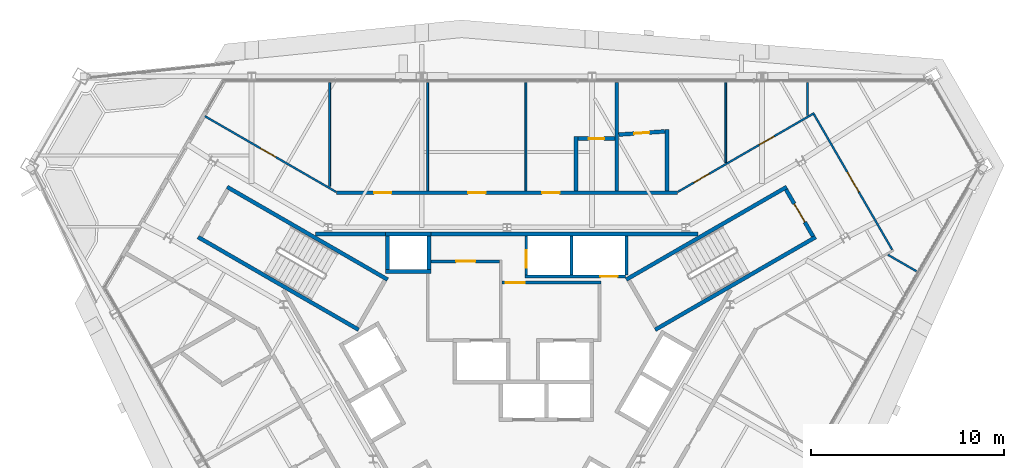
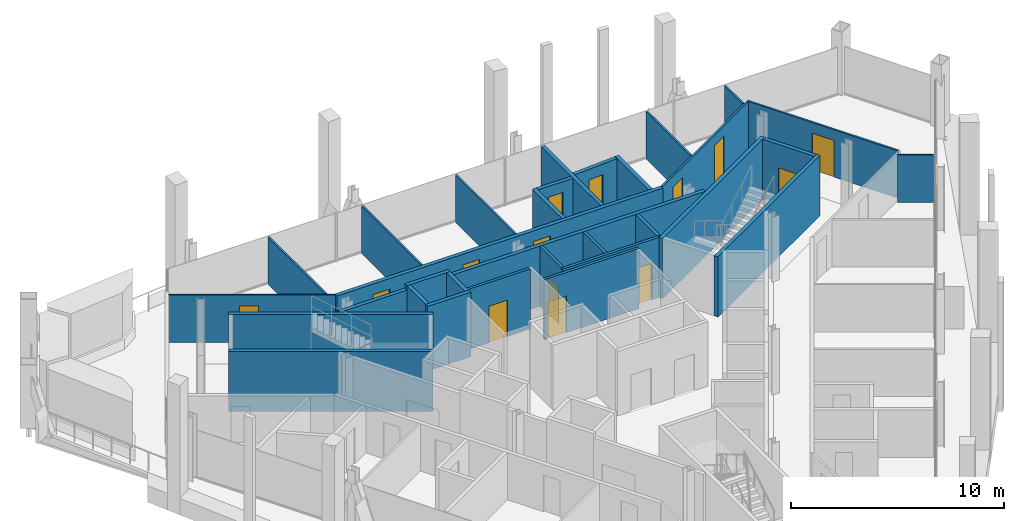
# One storey, part 11 of 14: 32 walls, 14 doors, 14 openings.
"""IFC4 building model written with IfcOpenShell, lengths in metres."""

import ifcopenshell
import ifcopenshell.guid

model = None  # the IFC model being written
_history = None  # IfcOwnerHistory: only IFC2X3 demands one
_inside = {}  # id of a spatial element -> (the spatial element, [elements in it])
_under = {}  # id of a project, library or spatial element -> (it, [spatial elements below it])
_declared = {}  # id of a project -> (the project, [libraries it declares])
_typed = {}  # id of a type object -> (the type object, [elements of that type])
_made_of = {}  # id of a material, layer set ... -> (it, [elements and type objects made of it])


def new_model(schema):
    """Start an empty IFC model of exactly this schema.

    Asked for "IFC4X3", IfcOpenShell would pick the latest addendum, in which some entities
    have other attributes; the version numbers below select the first issue.
    IFC2X3 requires an IfcOwnerHistory on every rooted entity: one is made here for all.
    """
    global model, _history
    if schema == "IFC4X3":
        model = ifcopenshell.file(schema_version=(4, 3, 0, 0))
    else:
        model = ifcopenshell.file(schema=schema)
    _inside.clear()
    _under.clear()
    _declared.clear()
    _typed.clear()
    _made_of.clear()
    _history = None
    if model.schema == "IFC2X3":
        org = make("IfcOrganization", Name="unknown")
        user = make(
            "IfcPersonAndOrganization",
            ThePerson=make("IfcPerson", FamilyName="unknown"),
            TheOrganization=org,
        )
        app = make(
            "IfcApplication",
            ApplicationDeveloper=org,
            Version="unknown",
            ApplicationFullName="unknown",
            ApplicationIdentifier="unknown",
        )
        _history = make(
            "IfcOwnerHistory",
            OwningUser=user,
            OwningApplication=app,
            ChangeAction="ADDED",
            CreationDate=0,
        )
    return model


def make(cls, **values):
    """One entity of the class cls with the attributes given. An attribute that is None is left unset."""
    return model.create_entity(
        cls, **{name: value for name, value in values.items() if value is not None}
    )


def rooted(cls, **values):
    """An entity with a GlobalId (a new one), such as an element, a storey or a relation."""
    return make(cls, GlobalId=ifcopenshell.guid.new(), OwnerHistory=_history, **values)


def si_unit(unit_type, name, prefix=None):
    """IfcSIUnit, for example si_unit("LENGTHUNIT", "METRE", prefix="MILLI")."""
    return make("IfcSIUnit", UnitType=unit_type, Prefix=prefix, Name=name)


def assignment(units):
    """IfcUnitAssignment: the units of a project."""
    return None if units is None else make("IfcUnitAssignment", Units=units)


def point(xyz):
    """IfcCartesianPoint."""
    return None if xyz is None else make("IfcCartesianPoint", Coordinates=xyz)


def direction(xyz):
    """IfcDirection."""
    return None if xyz is None else make("IfcDirection", DirectionRatios=xyz)


def frame(location, z_axis=None, x_axis=None):
    """IfcAxis2Placement3D, a coordinate frame: its origin and axes. An axis left out is left unset."""
    return make(
        "IfcAxis2Placement3D",
        Location=point(location),
        Axis=direction(z_axis),
        RefDirection=direction(x_axis),
    )


def frame_2d(location, x_axis=None):
    """IfcAxis2Placement2D, a coordinate frame in the plane: its origin and x axis."""
    return make(
        "IfcAxis2Placement2D", Location=point(location), RefDirection=direction(x_axis)
    )


def origin():
    """The frame at (0, 0, 0) with its axes left unset."""
    return frame((0.0, 0.0, 0.0))


def place(relative_to, where):
    """IfcLocalPlacement: puts the frame where relative to a parent placement (None: the world)."""
    return make(
        "IfcLocalPlacement", PlacementRelTo=relative_to, RelativePlacement=where
    )


def context(
    kind, dimensions, precision=None, world=None, true_north=None, identifier=None
):
    """IfcGeometricRepresentationContext, for example the 3D "Model" context."""
    return make(
        "IfcGeometricRepresentationContext",
        ContextIdentifier=identifier,
        ContextType=kind,
        CoordinateSpaceDimension=dimensions,
        Precision=precision,
        WorldCoordinateSystem=world,
        TrueNorth=true_north,
    )


def subcontext(parent, identifier, kind, view, scale=None):
    """IfcGeometricRepresentationSubContext, for example "Body" below "Model"."""
    return make(
        "IfcGeometricRepresentationSubContext",
        ContextIdentifier=identifier,
        ContextType=kind,
        ParentContext=parent,
        TargetScale=scale,
        TargetView=view,
    )


def project(units=None, contexts=None):
    """IfcProject with its units and contexts."""
    return rooted(
        "IfcProject",
        Name="project",
        RepresentationContexts=contexts,
        UnitsInContext=assignment(units),
    )


def spatial(cls, under=None, at=None, **own):
    """A site, building, storey or space (cls), placed at a placement, below another one or the project."""
    s = rooted(cls, ObjectPlacement=at, **own)
    if under is not None:
        _under.setdefault(under.id(), (under, []))[1].append(s)
    return s


def profile(cls, at=None, kind="AREA", **sizes):
    """A parametric profile (cls). Its sizes go by their IFC names, for example OverallWidth=200.0."""
    return make(cls, ProfileType=kind, Position=at, **sizes)


def rectangle(**sizes):
    """IfcRectangleProfileDef."""
    return profile("IfcRectangleProfileDef", **sizes)


def extrude(swept, where, along, depth):
    """IfcExtrudedAreaSolid: the profile swept, set in the frame where, extruded along a direction by depth."""
    return make(
        "IfcExtrudedAreaSolid",
        SweptArea=swept,
        Position=where,
        ExtrudedDirection=direction(along),
        Depth=depth,
    )


def shape(context_of_items, identifier, shape_type, items):
    """IfcShapeRepresentation: the items that make up one representation, for example the "Body"."""
    return make(
        "IfcShapeRepresentation",
        ContextOfItems=context_of_items,
        RepresentationIdentifier=identifier,
        RepresentationType=shape_type,
        Items=items,
    )


def material(Name=None, Category=None):
    """IfcMaterial."""
    return make("IfcMaterial", Name=Name, Category=Category)


def layer(
    of_material, thickness, ventilated=None, Name=None, Category=None, Priority=None
):
    """IfcMaterialLayer: one layer of a wall or slab, of a material (None: an air gap)."""
    return make(
        "IfcMaterialLayer",
        Material=of_material,
        LayerThickness=thickness,
        IsVentilated=ventilated,
        Name=Name,
        Category=Category,
        Priority=Priority,
    )


def layer_set(layers, Name=None):
    """IfcMaterialLayerSet."""
    return make("IfcMaterialLayerSet", MaterialLayers=layers, LayerSetName=Name)


def made_of(thing, what):
    """Note that an element or type object is made of a material, layer set ...; save() writes the relation."""
    if what is not None:
        _made_of.setdefault(what.id(), (what, []))[1].append(thing)
    return thing


def type_object(cls, material=None, **own):
    """A type object (cls), such as IfcWallType, which elements share."""
    return made_of(rooted(cls, **own), material)


def element(
    cls,
    number,
    at=None,
    inside=None,
    cuts=None,
    type_object=None,
    material=None,
    context=None,
    identifier="Body",
    shape_type=None,
    held_by="IfcProductDefinitionShape",
    body=None,
    shapes=None,
    **own,
):
    """One element of the class cls, such as IfcWall. Its Tag is "e" and its number.

    at: its placement. inside: the storey or other place that contains it. cuts: it is an
    opening in that element (IfcRelVoidsElement). A single representation is given by context,
    identifier, shape_type and body (its items); several are given by shapes. held_by: the class
    of the entity that holds the representations. save() writes the other relations.
    """
    e = rooted(cls, Tag="e%d" % number, ObjectPlacement=at, **own)
    if body is not None:
        shapes = [shape(context, identifier, shape_type, body)]
    if shapes is not None:
        e.Representation = make(held_by, Representations=shapes)
    if inside is not None:
        _inside.setdefault(inside.id(), (inside, []))[1].append(e)
    if cuts is not None:
        rooted(
            "IfcRelVoidsElement", RelatingBuildingElement=cuts, RelatedOpeningElement=e
        )
    if type_object is not None:
        _typed.setdefault(type_object.id(), (type_object, []))[1].append(e)
    return made_of(e, material)


def fill(opening, filler):
    """IfcRelFillsElement: the door or window that sits in an opening."""
    return rooted(
        "IfcRelFillsElement",
        RelatingOpeningElement=opening,
        RelatedBuildingElement=filler,
    )


def aggregate(whole, parts):
    """IfcRelAggregates: a whole, such as a stair, and the parts it consists of."""
    return rooted("IfcRelAggregates", RelatingObject=whole, RelatedObjects=parts)


def save(model, path):
    """Write the relations noted so far, then the file.

    IfcRelAggregates (storeys below a building ...), IfcRelContainedInSpatialStructure (elements
    in a storey), IfcRelDefinesByType, IfcRelAssociatesMaterial and IfcRelDeclares: one each for
    every whole, place, type object, material and project.
    """
    for whole, parts in _under.values():
        aggregate(whole, parts)
    for where, things in _inside.values():
        rooted(
            "IfcRelContainedInSpatialStructure",
            RelatedElements=things,
            RelatingStructure=where,
        )
    for kind, things in _typed.values():
        rooted("IfcRelDefinesByType", RelatedObjects=things, RelatingType=kind)
    for what, things in _made_of.values():
        rooted("IfcRelAssociatesMaterial", RelatedObjects=things, RelatingMaterial=what)
    for by, libraries in _declared.values():
        rooted("IfcRelDeclares", RelatingContext=by, RelatedDefinitions=libraries)
    model.write(path)


model = new_model("IFC4")

# Units and contexts
model_context = context("Model", 3, precision=1e-05, world=origin(), true_north=direction((0.0, 1.0)))
body_context = subcontext(model_context, "Body", "Model", "MODEL_VIEW")
ifc_project = project(units=[si_unit("LENGTHUNIT", "METRE"), si_unit("AREAUNIT", "SQUARE_METRE"), si_unit("VOLUMEUNIT", "CUBIC_METRE"), si_unit("PLANEANGLEUNIT", "RADIAN"), si_unit("MASSUNIT", "GRAM", prefix="KILO")], contexts=[model_context])

# Site, building, storey
site_placement = place(None, origin())
site = spatial("IfcSite", under=ifc_project, at=site_placement, CompositionType="ELEMENT")
building_placement = place(site_placement, origin())
building = spatial("IfcBuilding", under=site, at=building_placement, Name="Verrane Prism Tower", CompositionType="ELEMENT")
storey_placement = place(building_placement, frame((0.0, 0.0, 228.60009765625)))
storey = spatial("IfcBuildingStorey", under=building, at=storey_placement, Name="L57", CompositionType="ELEMENT", Elevation=228.60009765625)

# Walls
ifc_material_1 = material(Name="Gypsum board partition", Category="other")
ifc_layer_1 = layer(ifc_material_1, 0.199951171875)
ifc_layer_set_1 = layer_set([ifc_layer_1], Name="CW-200 core boundary wall 2 h")
wall_type_1 = type_object("IfcWallType", Name="CW-200 core boundary wall 2 h", PredefinedType="PARTITIONING", material=ifc_layer_set_1)
wall_1_placement = place(storey_placement, frame((-9.907958984375, 7.659912109375, 0.0), z_axis=(0.0, 0.0, 1.0), x_axis=(1.0, 0.0, 0.0)))
element("IfcWall", 1, at=wall_1_placement, inside=storey, type_object=wall_type_1, Name="Core boundary wall CW3-002", PredefinedType="PARTITIONING", context=body_context, shape_type="SweptSolid", body=[
    extrude(rectangle(XDim=3.620849609375, YDim=0.199951171875, at=frame_2d((1.810546875, 0.0))), origin(), (0.0, 0.0, 1.0), 3.449951171875),
])
wall_2_placement = place(storey_placement, frame((-3.93310546875, 7.659912109375, 0.0), z_axis=(0.0, 0.0, 1.0), x_axis=(1.0, 0.0, 0.0)))
element("IfcWall", 2, at=wall_2_placement, inside=storey, type_object=wall_type_1, Name="Core boundary wall CW3-005", PredefinedType="PARTITIONING", context=body_context, shape_type="SweptSolid", body=[
    extrude(rectangle(XDim=13.841064453125, YDim=0.199951171875, at=frame_2d((6.92041015625, 0.0))), origin(), (0.0, 0.0, 1.0), 3.449951171875),
])

# Wall, opening, door
ifc_material_2 = material(Name="Concrete C40/50", Category="concrete")
ifc_layer_2 = layer(ifc_material_2, 0.199951171875)
ifc_layer_set_2 = layer_set([ifc_layer_2], Name="CW-200 stair core wall concrete C40/50 3 h")
wall_type_2 = type_object("IfcWallType", Name="CW-200 stair core wall concrete C40/50 3 h", PredefinedType="PARTITIONING", material=ifc_layer_set_2)
wall_3_placement = place(storey_placement, frame((15.85546875, 7.53759765625, 0.0), z_axis=(0.0, 0.0, 1.0), x_axis=(-0.500049511043, 0.865996816683, 0.0)))
wall_3 = element("IfcWall", 3, at=wall_3_placement, inside=storey, type_object=wall_type_2, Name="Stair 1 enclosure wall", PredefinedType="PARTITIONING", context=body_context, shape_type="SweptSolid", body=[
    extrude(rectangle(XDim=2.800048828125, YDim=0.199951171875, at=frame_2d((1.39990234375, 0.0))), origin(), (0.0, 0.0, 1.0), 3.449951171875),
])
opening_1_placement = place(wall_3_placement, frame((0.849853515625, 0.0, 0.0)))
opening_1 = element("IfcOpeningElement", 4, at=opening_1_placement, cuts=wall_3, Name="Opening D57500", PredefinedType="OPENING", context=body_context, shape_type="SweptSolid", body=[
    extrude(rectangle(XDim=1.10009765625, YDim=2.10009765625, at=frame_2d((0.550048828125, 1.050048828125))), frame((0.0, 0.10986328125, 0.0), z_axis=(0.0, -1.0, 0.0), x_axis=(1.0, 0.0, 0.0)), (0.0, 0.0, 1.0), 0.219970703125),
])
ifc_material_3 = material(Name="Timber veneered door leaf", Category="wood")
door_type_1 = type_object("IfcDoorType", Name="DR-1100x2100 FD90 single leaf stair", OperationType="NOTDEFINED", PredefinedType="DOOR", material=ifc_material_3)
door_1_placement = place(opening_1_placement, origin())
door_1 = element("IfcDoor", 5, at=door_1_placement, inside=storey, type_object=door_type_1, Name="Stair 1 door", OperationType="SINGLE_SWING_LEFT", OverallHeight=2.10009765625, OverallWidth=1.10009765625, PredefinedType="DOOR", context=body_context, shape_type="SweptSolid", body=[
    extrude(rectangle(XDim=1.10009765625, YDim=2.10009765625, at=frame_2d((0.550048828125, 1.050048828125))), frame((0.0, 0.02490234375, 0.0), z_axis=(0.0, -1.0, 0.0), x_axis=(1.0, 0.0, 0.0)), (0.0, 0.0, 1.0), 0.050048828125),
])
fill(opening_1, door_1)

# Walls
for number, where, z_axis, x_axis, name in (
    (6, (6.17822265625, 5.299072265625, 0.0), (0.0, 0.0, 1.0), (0.866019993635, 0.500009370536, 0.0), "Stair 1 enclosure wall"),
    (7, (7.67822265625, 2.700927734375, 0.0), (0.0, 0.0, 1.0), (0.866019993635, 0.500009370536, 0.0), "Stair 1 enclosure wall"),
    (8, (-7.67822265625, 2.700927734375, 0.0), (0.0, 0.0, 1.0), (-0.866019993635, 0.500009370536, 0.0), "Stair 2 enclosure wall"),
    (9, (-6.17822265625, 5.299072265625, 0.0), (0.0, 0.0, 1.0), (-0.866019993635, 0.500009370536, 0.0), "Stair 2 enclosure wall"),
):
    element("IfcWall", number, at=place(storey_placement, frame(where, z_axis=z_axis, x_axis=x_axis)), inside=storey, type_object=wall_type_2, Name=name, PredefinedType="PARTITIONING", context=body_context, shape_type="SweptSolid", body=[
        extrude(rectangle(XDim=9.599853515625, YDim=0.199951171875, at=frame_2d((4.7998046875, 0.0))), origin(), (0.0, 0.0, 1.0), 3.449951171875),
    ])
ifc_material_4 = material(Name="Gypsum board shaft wall assembly", Category="other")
ifc_layer_3 = layer(ifc_material_4, 0.199951171875)
ifc_layer_set_3 = layer_set([ifc_layer_3], Name="HW-200 lift shaft wall 2 h")
wall_type_3 = type_object("IfcWallType", Name="HW-200 lift shaft wall 2 h", PredefinedType="PARTITIONING", material=ifc_layer_set_3)
for number, where, z_axis, x_axis, name in (
    (10, (-6.284912109375, 5.7099609375, 0.0), (0.0, 0.0, 1.0), (1.0, 0.0, 0.0), "Lift shaft wall"),
    (11, (-6.284912109375, 7.659912109375, 0.0), (0.0, 0.0, 1.0), (1.0, 0.0, 0.0), "Lift shaft wall"),
):
    element("IfcWall", number, at=place(storey_placement, frame(where, z_axis=z_axis, x_axis=x_axis)), inside=storey, type_object=wall_type_3, Name=name, PredefinedType="PARTITIONING", context=body_context, shape_type="SweptSolid", body=[
        extrude(rectangle(XDim=2.349853515625, YDim=0.199951171875, at=frame_2d((1.1748046875, 0.0))), origin(), (0.0, 0.0, 1.0), 3.699951171875),
    ])
for number, where, z_axis, x_axis, name in (
    (12, (-4.034912109375, 5.81005859375, 0.0), (0.0, 0.0, 1.0), (0.0, 1.0, 0.0), "Lift shaft wall"),
    (13, (-6.18505859375, 5.81005859375, 0.0), (0.0, 0.0, 1.0), (0.0, 1.0, 0.0), "Lift shaft wall"),
):
    element("IfcWall", number, at=place(storey_placement, frame(where, z_axis=z_axis, x_axis=x_axis)), inside=storey, type_object=wall_type_3, Name=name, PredefinedType="PARTITIONING", context=body_context, shape_type="SweptSolid", body=[
        extrude(rectangle(XDim=1.75, YDim=0.199951171875, at=frame_2d((0.875, 0.0))), origin(), (0.0, 0.0, 1.0), 3.699951171875),
    ])

# Wall, opening, door
ifc_material_5 = material(Name="Gypsum board partition", Category="other")
ifc_layer_4 = layer(ifc_material_5, 0.14990234375)
ifc_layer_set_4 = layer_set([ifc_layer_4], Name="LF-150 firefighting lobby wall 1 h")
wall_type_4 = type_object("IfcWallType", Name="LF-150 firefighting lobby wall 1 h", PredefinedType="PARTITIONING", material=ifc_layer_set_4)
wall_4_placement = place(storey_placement, frame((-3.93310546875, 6.239990234375, 0.0), z_axis=(0.0, 0.0, 1.0), x_axis=(1.0, 0.0, 0.0)))
wall_4 = element("IfcWall", 14, at=wall_4_placement, inside=storey, type_object=wall_type_4, Name="Firefighting lobby wall LF1-003", PredefinedType="PARTITIONING", context=body_context, shape_type="SweptSolid", body=[
    extrude(rectangle(XDim=3.5380859375, YDim=0.14990234375, at=frame_2d((1.76904296875, 0.0))), origin(), (0.0, 0.0, 1.0), 3.449951171875),
])
opening_2_placement = place(wall_4_placement, frame((1.300048828125, 0.0, 0.0)))
opening_2 = element("IfcOpeningElement", 15, at=opening_2_placement, cuts=wall_4, Name="Opening D57512", PredefinedType="OPENING", context=body_context, shape_type="SweptSolid", body=[
    extrude(rectangle(XDim=1.0, YDim=2.10009765625, at=frame_2d((0.5, 1.050048828125))), frame((0.0, 0.0849609375, 0.0), z_axis=(0.0, -1.0, 0.0), x_axis=(1.0, 0.0, 0.0)), (0.0, 0.0, 1.0), 0.169921875),
])
ifc_material_6 = material(Name="Timber veneered door leaf", Category="wood")
door_type_2 = type_object("IfcDoorType", Name="DR-1000x2100 FD60 single leaf firefighting lobby", OperationType="NOTDEFINED", PredefinedType="DOOR", material=ifc_material_6)
door_2_placement = place(opening_2_placement, origin())
door_2 = element("IfcDoor", 16, at=door_2_placement, inside=storey, type_object=door_type_2, Name="Firefighting lobby door D57512", OperationType="SINGLE_SWING_LEFT", OverallHeight=2.10009765625, OverallWidth=1.0, PredefinedType="DOOR", context=body_context, shape_type="SweptSolid", body=[
    extrude(rectangle(XDim=1.0, YDim=2.10009765625, at=frame_2d((0.5, 1.050048828125))), frame((0.0, 0.02490234375, 0.0), z_axis=(0.0, -1.0, 0.0), x_axis=(1.0, 0.0, 0.0)), (0.0, 0.0, 1.0), 0.050048828125),
])
fill(opening_2, door_2)

wall_5_placement = place(storey_placement, frame((-0.2451171875, 5.139892578125, 0.0), z_axis=(0.0, 0.0, 1.0), x_axis=(1.0, 0.0, 0.0)))
wall_5 = element("IfcWall", 17, at=wall_5_placement, inside=storey, type_object=wall_type_4, Name="Firefighting lobby wall LF1-005", PredefinedType="PARTITIONING", context=body_context, shape_type="SweptSolid", body=[
    extrude(rectangle(XDim=5.110107421875, YDim=0.14990234375, at=frame_2d((2.55517578125, 0.0))), origin(), (0.0, 0.0, 1.0), 3.449951171875),
])
opening_3_placement = place(wall_5_placement, frame((0.175048828125, 0.0, 0.0)))
opening_3 = element("IfcOpeningElement", 18, at=opening_3_placement, cuts=wall_5, Name="Opening D57513", PredefinedType="OPENING", context=body_context, shape_type="SweptSolid", body=[
    extrude(rectangle(XDim=1.0, YDim=2.10009765625, at=frame_2d((0.5, 1.050048828125))), frame((0.0, 0.0849609375, 0.0), z_axis=(0.0, -1.0, 0.0), x_axis=(1.0, 0.0, 0.0)), (0.0, 0.0, 1.0), 0.169921875),
])
door_3_placement = place(opening_3_placement, origin())
door_3 = element("IfcDoor", 19, at=door_3_placement, inside=storey, type_object=door_type_2, Name="Firefighting lobby door D57513", OperationType="SINGLE_SWING_LEFT", OverallHeight=2.10009765625, OverallWidth=1.0, PredefinedType="DOOR", context=body_context, shape_type="SweptSolid", body=[
    extrude(rectangle(XDim=1.0, YDim=2.10009765625, at=frame_2d((0.5, 1.050048828125))), frame((0.0, 0.02490234375, 0.0), z_axis=(0.0, -1.0, 0.0), x_axis=(1.0, 0.0, 0.0)), (0.0, 0.0, 1.0), 0.050048828125),
])
fill(opening_3, door_3)

ifc_material_7 = material(Name="Gypsum board partition", Category="other")
ifc_layer_5 = layer(ifc_material_7, 0.10009765625)
ifc_layer_set_5 = layer_set([ifc_layer_5], Name="PW-100 room partition")
wall_type_5 = type_object("IfcWallType", Name="PW-100 room partition", PredefinedType="PARTITIONING", material=ifc_layer_set_5)
wall_6_placement = place(storey_placement, frame((-15.641845703125, 13.76171875, 0.0), z_axis=(0.0, 0.0, 1.0), x_axis=(0.866090699522, -0.499886887406, 0.0)))
wall_6 = element("IfcWall", 20, at=wall_6_placement, inside=storey, type_object=wall_type_5, Name="Room partition 004", PredefinedType="PARTITIONING", context=body_context, shape_type="SweptSolid", body=[
    extrude(rectangle(XDim=7.840087890625, YDim=0.10009765625, at=frame_2d((3.919921875, 0.0))), origin(), (0.0, 0.0, 1.0), 2.712890625),
])
opening_4_placement = place(wall_6_placement, frame((3.335205078125, 0.0, 0.0)))
opening_4 = element("IfcOpeningElement", 21, at=opening_4_placement, cuts=wall_6, Name="Opening D57009", PredefinedType="OPENING", context=body_context, shape_type="SweptSolid", body=[
    extrude(rectangle(XDim=0.89990234375, YDim=2.10009765625, at=frame_2d((0.449951171875, 1.050048828125))), frame((0.0, 0.06005859375, 0.0), z_axis=(0.0, -1.0, 0.0), x_axis=(1.0, 0.0, 0.0)), (0.0, 0.0, 1.0), 0.1201171875),
])
ifc_material_8 = material(Name="Timber veneered door leaf", Category="wood")
door_type_3 = type_object("IfcDoorType", Name="DR-900x2100 single leaf unit", OperationType="NOTDEFINED", PredefinedType="DOOR", material=ifc_material_8)
door_4_placement = place(opening_4_placement, origin())
door_4 = element("IfcDoor", 22, at=door_4_placement, inside=storey, type_object=door_type_3, Name="Study door", OperationType="SINGLE_SWING_LEFT", OverallHeight=2.10009765625, OverallWidth=0.89990234375, PredefinedType="DOOR", context=body_context, shape_type="SweptSolid", body=[
    extrude(rectangle(XDim=0.89990234375, YDim=2.10009765625, at=frame_2d((0.449951171875, 1.050048828125))), frame((0.0, 0.02490234375, 0.0), z_axis=(0.0, -1.0, 0.0), x_axis=(1.0, 0.0, 0.0)), (0.0, 0.0, 1.0), 0.050048828125),
])
fill(opening_4, door_4)

# Walls
wall_7_placement = place(storey_placement, frame((-9.18505859375, 10.12158203125, 0.0), z_axis=(0.0, 0.0, 1.0), x_axis=(0.0, 1.0, 0.0)))
element("IfcWall", 23, at=wall_7_placement, inside=storey, type_object=wall_type_5, Name="Room partition 012", PredefinedType="PARTITIONING", context=body_context, shape_type="SweptSolid", body=[
    extrude(rectangle(XDim=5.384521484375, YDim=0.10009765625, at=frame_2d((2.6923828125, 0.0))), origin(), (0.0, 0.0, 1.0), 2.712890625),
])
for number, where, z_axis, x_axis, name in (
    (24, (-4.10302734375, 9.89990234375, 0.0), (0.0, 0.0, 1.0), (0.0, 1.0, 0.0), "Room partition 016"),
    (25, (0.97998046875, 9.89990234375, 0.0), (0.0, 0.0, 1.0), (0.0, 1.0, 0.0), "Room partition 019"),
):
    element("IfcWall", number, at=place(storey_placement, frame(where, z_axis=z_axis, x_axis=x_axis)), inside=storey, type_object=wall_type_5, Name=name, PredefinedType="PARTITIONING", context=body_context, shape_type="SweptSolid", body=[
        extrude(rectangle(XDim=5.606201171875, YDim=0.10009765625, at=frame_2d((2.80322265625, 0.0))), origin(), (0.0, 0.0, 1.0), 2.712890625),
    ])

# Wall, openings, doors
wall_8_placement = place(storey_placement, frame((8.8515625, 9.842529296875, 0.0), z_axis=(0.0, 0.0, 1.0), x_axis=(0.866088973199, 0.499889878377, 0.0)))
wall_8 = element("IfcWall", 26, at=wall_8_placement, inside=storey, type_object=wall_type_5, Name="Room partition 035", PredefinedType="PARTITIONING", context=body_context, shape_type="SweptSolid", body=[
    extrude(rectangle(XDim=8.162841796875, YDim=0.10009765625, at=frame_2d((4.08154296875, 0.0))), origin(), (0.0, 0.0, 1.0), 2.712890625),
])
opening_5_placement = place(wall_8_placement, frame((4.864990234375, 0.0, 0.0)))
opening_5 = element("IfcOpeningElement", 27, at=opening_5_placement, cuts=wall_8, Name="Opening D57002", PredefinedType="OPENING", context=body_context, shape_type="SweptSolid", body=[
    extrude(rectangle(XDim=0.89990234375, YDim=2.10009765625, at=frame_2d((0.449951171875, 1.050048828125))), frame((0.0, 0.06005859375, 0.0), z_axis=(0.0, -1.0, 0.0), x_axis=(1.0, 0.0, 0.0)), (0.0, 0.0, 1.0), 0.1201171875),
])
opening_6_placement = place(wall_8_placement, frame((0.965087890625, 0.0, 0.0)))
opening_6 = element("IfcOpeningElement", 28, at=opening_6_placement, cuts=wall_8, Name="Opening D57003", PredefinedType="OPENING", context=body_context, shape_type="SweptSolid", body=[
    extrude(rectangle(XDim=0.89990234375, YDim=2.10009765625, at=frame_2d((0.449951171875, 1.050048828125))), frame((0.0, 0.06005859375, 0.0), z_axis=(0.0, -1.0, 0.0), x_axis=(1.0, 0.0, 0.0)), (0.0, 0.0, 1.0), 0.1201171875),
])
ifc_material_9 = material(Name="Timber veneered door leaf", Category="wood")
door_type_4 = type_object("IfcDoorType", Name="DR-900x2100 single leaf inner", OperationType="NOTDEFINED", PredefinedType="DOOR", material=ifc_material_9)
door_5_placement = place(opening_6_placement, origin())
door_5 = element("IfcDoor", 29, at=door_5_placement, inside=storey, type_object=door_type_4, Name="Master Bedroom door", OperationType="SINGLE_SWING_LEFT", OverallHeight=2.10009765625, OverallWidth=0.89990234375, PredefinedType="DOOR", context=body_context, shape_type="SweptSolid", body=[
    extrude(rectangle(XDim=0.89990234375, YDim=2.10009765625, at=frame_2d((0.449951171875, 1.050048828125))), frame((0.0, 0.02490234375, 0.0), z_axis=(0.0, -1.0, 0.0), x_axis=(1.0, 0.0, 0.0)), (0.0, 0.0, 1.0), 0.050048828125),
])
fill(opening_6, door_5)
door_6_placement = place(opening_5_placement, origin())
door_6 = element("IfcDoor", 30, at=door_6_placement, inside=storey, type_object=door_type_3, Name="Kitchen door", OperationType="SINGLE_SWING_RIGHT", OverallHeight=2.10009765625, OverallWidth=0.89990234375, PredefinedType="DOOR", context=body_context, shape_type="SweptSolid", body=[
    extrude(rectangle(XDim=0.89990234375, YDim=2.10009765625, at=frame_2d((0.449951171875, 1.050048828125))), frame((0.0, 0.02490234375, 0.0), z_axis=(0.0, -1.0, 0.0), x_axis=(1.0, 0.0, 0.0)), (0.0, 0.0, 1.0), 0.050048828125),
])
fill(opening_5, door_6)

# Walls
wall_9_placement = place(storey_placement, frame((11.3330078125, 11.361572265625, 0.0), z_axis=(0.0, 0.0, 1.0), x_axis=(0.0, 1.0, 0.0)))
element("IfcWall", 31, at=wall_9_placement, inside=storey, type_object=wall_type_5, Name="Room partition 037", PredefinedType="PARTITIONING", context=body_context, shape_type="SweptSolid", body=[
    extrude(rectangle(XDim=4.14453125, YDim=0.10009765625, at=frame_2d((2.072265625, 0.0))), origin(), (0.0, 0.0, 1.0), 2.712890625),
])
wall_10_placement = place(storey_placement, frame((15.569091796875, 13.806640625, 0.0), z_axis=(0.0, 0.0, 1.0), x_axis=(0.0, 1.0, 0.0)))
element("IfcWall", 32, at=wall_10_placement, inside=storey, type_object=wall_type_5, Name="Room partition 040", PredefinedType="PARTITIONING", context=body_context, shape_type="SweptSolid", body=[
    extrude(rectangle(XDim=1.699462890625, YDim=0.10009765625, at=frame_2d((0.849609375, 0.0))), origin(), (0.0, 0.0, 1.0), 2.712890625),
])

# Wall, opening, door
wall_11_placement = place(storey_placement, frame((15.903076171875, 13.854736328125, 0.0), z_axis=(0.0, 0.0, 1.0), x_axis=(0.500415732313, -0.865785247537, 0.0)))
wall_11 = element("IfcWall", 33, at=wall_11_placement, inside=storey, type_object=wall_type_5, Name="Room partition 041", PredefinedType="PARTITIONING", context=body_context, shape_type="SweptSolid", body=[
    extrude(rectangle(XDim=8.09716796875, YDim=0.10009765625, at=frame_2d((4.048583984375, 0.0))), origin(), (0.0, 0.0, 1.0), 2.712890625),
])
opening_7_placement = place(wall_11_placement, frame((3.449951171875, 0.0, 0.0)))
opening_7 = element("IfcOpeningElement", 34, at=opening_7_placement, cuts=wall_11, Name="Opening D57001", PredefinedType="OPENING", context=body_context, shape_type="SweptSolid", body=[
    extrude(rectangle(XDim=1.199951171875, YDim=2.10009765625, at=frame_2d((0.60009765625, 1.050048828125))), frame((0.0, 0.06005859375, 0.0), z_axis=(0.0, -1.0, 0.0), x_axis=(1.0, 0.0, 0.0)), (0.0, 0.0, 1.0), 0.1201171875),
])
ifc_material_10 = material(Name="Timber veneered door leaf", Category="wood")
door_type_5 = type_object("IfcDoorType", Name="DR-1200x2100 single leaf unit", OperationType="NOTDEFINED", PredefinedType="DOOR", material=ifc_material_10)
door_7_placement = place(opening_7_placement, origin())
door_7 = element("IfcDoor", 35, at=door_7_placement, inside=storey, type_object=door_type_5, Name="Living And Dining Room door", OperationType="SINGLE_SWING_LEFT", OverallHeight=2.10009765625, OverallWidth=1.199951171875, PredefinedType="DOOR", context=body_context, shape_type="SweptSolid", body=[
    extrude(rectangle(XDim=1.199951171875, YDim=2.10009765625, at=frame_2d((0.60009765625, 1.050048828125))), frame((0.0, 0.02490234375, 0.0), z_axis=(0.0, -1.0, 0.0), x_axis=(1.0, 0.0, 0.0)), (0.0, 0.0, 1.0), 0.050048828125),
])
fill(opening_7, door_7)

# Wall
wall_12_placement = place(storey_placement, frame((19.742919921875, 6.57861328125, 0.0), z_axis=(0.0, 0.0, 1.0), x_axis=(0.866003515251, -0.500037910135, 0.0)))
element("IfcWall", 36, at=wall_12_placement, inside=storey, type_object=wall_type_5, Name="Room partition 042", PredefinedType="PARTITIONING", context=body_context, shape_type="SweptSolid", body=[
    extrude(rectangle(XDim=1.697021484375, YDim=0.10009765625, at=frame_2d((0.8486328125, 0.0))), origin(), (0.0, 0.0, 1.0), 2.712890625),
])

# Wall, openings, doors
ifc_material_11 = material(Name="Gypsum board partition", Category="other")
ifc_layer_6 = layer(ifc_material_11, 0.199951171875)
ifc_layer_set_6 = layer_set([ifc_layer_6], Name="PW-200 plumbing wall")
wall_type_6 = type_object("IfcWallType", Name="PW-200 plumbing wall", PredefinedType="PARTITIONING", material=ifc_layer_set_6)
wall_13_placement = place(storey_placement, frame((-8.827880859375, 9.800048828125, 0.0), z_axis=(0.0, 0.0, 1.0), x_axis=(1.0, 0.0, 0.0)))
wall_13 = element("IfcWall", 37, at=wall_13_placement, inside=storey, type_object=wall_type_6, Name="Plumbing wall 013", PredefinedType="PARTITIONING", context=body_context, shape_type="SweptSolid", body=[
    extrude(rectangle(XDim=17.65576171875, YDim=0.199951171875, at=frame_2d((8.827880859375, 0.0))), origin(), (0.0, 0.0, 1.0), 2.712890625),
])
opening_8_placement = place(wall_13_placement, frame((10.657958984375, 0.0, 0.0)))
opening_8 = element("IfcOpeningElement", 38, at=opening_8_placement, cuts=wall_13, Name="Opening D57005", PredefinedType="OPENING", context=body_context, shape_type="SweptSolid", body=[
    extrude(rectangle(XDim=0.89990234375, YDim=2.10009765625, at=frame_2d((0.449951171875, 1.050048828125))), frame((0.0, 0.10986328125, 0.0), z_axis=(0.0, -1.0, 0.0), x_axis=(1.0, 0.0, 0.0)), (0.0, 0.0, 1.0), 0.219970703125),
])
opening_9_placement = place(wall_13_placement, frame((6.824951171875, 0.0, 0.0)))
opening_9 = element("IfcOpeningElement", 39, at=opening_9_placement, cuts=wall_13, Name="Opening D57007", PredefinedType="OPENING", context=body_context, shape_type="SweptSolid", body=[
    extrude(rectangle(XDim=0.89990234375, YDim=2.10009765625, at=frame_2d((0.449951171875, 1.050048828125))), frame((0.0, 0.10986328125, 0.0), z_axis=(0.0, -1.0, 0.0), x_axis=(1.0, 0.0, 0.0)), (0.0, 0.0, 1.0), 0.219970703125),
])
opening_10_placement = place(wall_13_placement, frame((1.949951171875, 0.0, 0.0)))
opening_10 = element("IfcOpeningElement", 40, at=opening_10_placement, cuts=wall_13, Name="Opening D57008", PredefinedType="OPENING", context=body_context, shape_type="SweptSolid", body=[
    extrude(rectangle(XDim=0.89990234375, YDim=2.10009765625, at=frame_2d((0.449951171875, 1.050048828125))), frame((0.0, 0.10986328125, 0.0), z_axis=(0.0, -1.0, 0.0), x_axis=(1.0, 0.0, 0.0)), (0.0, 0.0, 1.0), 0.219970703125),
])
door_8_placement = place(opening_8_placement, origin())
door_8 = element("IfcDoor", 41, at=door_8_placement, inside=storey, type_object=door_type_4, Name="Bedroom door", OperationType="SINGLE_SWING_LEFT", OverallHeight=2.10009765625, OverallWidth=0.89990234375, PredefinedType="DOOR", context=body_context, shape_type="SweptSolid", body=[
    extrude(rectangle(XDim=0.89990234375, YDim=2.10009765625, at=frame_2d((0.449951171875, 1.050048828125))), frame((0.0, 0.02490234375, 0.0), z_axis=(0.0, -1.0, 0.0), x_axis=(1.0, 0.0, 0.0)), (0.0, 0.0, 1.0), 0.050048828125),
])
fill(opening_8, door_8)
door_9_placement = place(opening_9_placement, origin())
door_9 = element("IfcDoor", 42, at=door_9_placement, inside=storey, type_object=door_type_3, Name="Study door", OperationType="SINGLE_SWING_LEFT", OverallHeight=2.10009765625, OverallWidth=0.89990234375, PredefinedType="DOOR", context=body_context, shape_type="SweptSolid", body=[
    extrude(rectangle(XDim=0.89990234375, YDim=2.10009765625, at=frame_2d((0.449951171875, 1.050048828125))), frame((0.0, 0.02490234375, 0.0), z_axis=(0.0, -1.0, 0.0), x_axis=(1.0, 0.0, 0.0)), (0.0, 0.0, 1.0), 0.050048828125),
])
fill(opening_9, door_9)
door_10_placement = place(opening_10_placement, origin())
door_10 = element("IfcDoor", 43, at=door_10_placement, inside=storey, type_object=door_type_3, Name="Study door", OperationType="SINGLE_SWING_RIGHT", OverallHeight=2.10009765625, OverallWidth=0.89990234375, PredefinedType="DOOR", context=body_context, shape_type="SweptSolid", body=[
    extrude(rectangle(XDim=0.89990234375, YDim=2.10009765625, at=frame_2d((0.449951171875, 1.050048828125))), frame((0.0, 0.02490234375, 0.0), z_axis=(0.0, -1.0, 0.0), x_axis=(1.0, 0.0, 0.0)), (0.0, 0.0, 1.0), 0.050048828125),
])
fill(opening_10, door_10)

# Wall
wall_14_placement = place(storey_placement, frame((3.5859375, 9.89990234375, 0.0), z_axis=(0.0, 0.0, 1.0), x_axis=(0.0, 1.0, 0.0)))
element("IfcWall", 44, at=wall_14_placement, inside=storey, type_object=wall_type_6, Name="Plumbing wall 020", PredefinedType="PARTITIONING", context=body_context, shape_type="SweptSolid", body=[
    extrude(rectangle(XDim=2.800048828125, YDim=0.199951171875, at=frame_2d((1.39990234375, 0.0))), origin(), (0.0, 0.0, 1.0), 2.712890625),
])

# Wall, opening, door
wall_15_placement = place(storey_placement, frame((5.5859375, 12.60009765625, 0.0), z_axis=(0.0, 0.0, 1.0), x_axis=(-1.0, 0.0, 0.0)))
wall_15 = element("IfcWall", 45, at=wall_15_placement, inside=storey, type_object=wall_type_6, Name="Plumbing wall 021", PredefinedType="PARTITIONING", context=body_context, shape_type="SweptSolid", body=[
    extrude(rectangle(XDim=1.89990234375, YDim=0.199951171875, at=frame_2d((0.949951171875, 0.0))), origin(), (0.0, 0.0, 1.0), 2.712890625),
])
opening_11_placement = place(wall_15_placement, frame((0.550048828125, 0.0, 0.0)))
opening_11 = element("IfcOpeningElement", 46, at=opening_11_placement, cuts=wall_15, Name="Opening D57006", PredefinedType="OPENING", context=body_context, shape_type="SweptSolid", body=[
    extrude(rectangle(XDim=0.800048828125, YDim=2.10009765625, at=frame_2d((0.39990234375, 1.050048828125))), frame((0.0, 0.10986328125, 0.0), z_axis=(0.0, -1.0, 0.0), x_axis=(1.0, 0.0, 0.0)), (0.0, 0.0, 1.0), 0.219970703125),
])
ifc_material_12 = material(Name="Timber veneered door leaf", Category="wood")
door_type_6 = type_object("IfcDoorType", Name="DR-800x2100 single leaf bath", OperationType="NOTDEFINED", PredefinedType="DOOR", material=ifc_material_12)
door_11_placement = place(opening_11_placement, origin())
door_11 = element("IfcDoor", 47, at=door_11_placement, inside=storey, type_object=door_type_6, Name="Bathroom door", OperationType="SINGLE_SWING_LEFT", OverallHeight=2.10009765625, OverallWidth=0.800048828125, PredefinedType="DOOR", context=body_context, shape_type="SweptSolid", body=[
    extrude(rectangle(XDim=0.800048828125, YDim=2.10009765625, at=frame_2d((0.39990234375, 1.050048828125))), frame((0.0, 0.02490234375, 0.0), z_axis=(0.0, -1.0, 0.0), x_axis=(1.0, 0.0, 0.0)), (0.0, 0.0, 1.0), 0.050048828125),
])
fill(opening_11, door_11)

# Wall
wall_16_placement = place(storey_placement, frame((5.68603515625, 9.89990234375, 0.0), z_axis=(0.0, 0.0, 1.0), x_axis=(0.0, 1.0, 0.0)))
element("IfcWall", 48, at=wall_16_placement, inside=storey, type_object=wall_type_6, Name="Plumbing wall 027", PredefinedType="PARTITIONING", context=body_context, shape_type="SweptSolid", body=[
    extrude(rectangle(XDim=5.606201171875, YDim=0.199951171875, at=frame_2d((2.80322265625, 0.0))), origin(), (0.0, 0.0, 1.0), 2.712890625),
])

# Wall, opening, door
wall_17_placement = place(storey_placement, frame((8.17626953125, 12.972412109375, 0.0), z_axis=(0.0, 0.0, 1.0), x_axis=(-0.997610938758, -0.069082666933, 0.0)))
wall_17 = element("IfcWall", 49, at=wall_17_placement, inside=storey, type_object=wall_type_6, Name="Plumbing wall 028", PredefinedType="PARTITIONING", context=body_context, shape_type="SweptSolid", body=[
    extrude(rectangle(XDim=2.388916015625, YDim=0.199951171875, at=frame_2d((1.1943359375, 0.0))), origin(), (0.0, 0.0, 1.0), 2.712890625),
])
opening_12_placement = place(wall_17_placement, frame((0.796142578125, 0.0, 0.0)))
opening_12 = element("IfcOpeningElement", 50, at=opening_12_placement, cuts=wall_17, Name="Opening D57004", PredefinedType="OPENING", context=body_context, shape_type="SweptSolid", body=[
    extrude(rectangle(XDim=0.800048828125, YDim=2.10009765625, at=frame_2d((0.39990234375, 1.050048828125))), frame((0.0, 0.10986328125, 0.0), z_axis=(0.0, -1.0, 0.0), x_axis=(1.0, 0.0, 0.0)), (0.0, 0.0, 1.0), 0.219970703125),
])
door_12_placement = place(opening_12_placement, origin())
door_12 = element("IfcDoor", 51, at=door_12_placement, inside=storey, type_object=door_type_6, Name="Master Bathroom door", OperationType="SINGLE_SWING_LEFT", OverallHeight=2.10009765625, OverallWidth=0.800048828125, PredefinedType="DOOR", context=body_context, shape_type="SweptSolid", body=[
    extrude(rectangle(XDim=0.800048828125, YDim=2.10009765625, at=frame_2d((0.39990234375, 1.050048828125))), frame((0.0, 0.02490234375, 0.0), z_axis=(0.0, -1.0, 0.0), x_axis=(1.0, 0.0, 0.0)), (0.0, 0.0, 1.0), 0.050048828125),
])
fill(opening_12, door_12)

# Wall
wall_18_placement = place(storey_placement, frame((8.285888671875, 9.89990234375, 0.0), z_axis=(0.0, 0.0, 1.0), x_axis=(0.0, 1.0, 0.0)))
element("IfcWall", 52, at=wall_18_placement, inside=storey, type_object=wall_type_6, Name="Plumbing wall 033", PredefinedType="PARTITIONING", context=body_context, shape_type="SweptSolid", body=[
    extrude(rectangle(XDim=3.18017578125, YDim=0.199951171875, at=frame_2d((1.590087890625, 0.0))), origin(), (0.0, 0.0, 1.0), 2.712890625),
])

# Wall, opening, door
ifc_material_13 = material(Name="Gypsum board partition", Category="other")
ifc_layer_7 = layer(ifc_material_13, 0.14990234375)
ifc_layer_set_7 = layer_set([ifc_layer_7], Name="RS-150 riser enclosure wall 1 h")
wall_type_7 = type_object("IfcWallType", Name="RS-150 riser enclosure wall 1 h", PredefinedType="PARTITIONING", material=ifc_layer_set_7)
wall_19_placement = place(storey_placement, frame((1.0, 7.56005859375, 0.0), z_axis=(0.0, 0.0, 1.0), x_axis=(0.0, -1.0, 0.0)))
wall_19 = element("IfcWall", 53, at=wall_19_placement, inside=storey, type_object=wall_type_7, Name="Riser wall RS3-001", PredefinedType="PARTITIONING", context=body_context, shape_type="SweptSolid", body=[
    extrude(rectangle(XDim=2.025146484375, YDim=0.14990234375, at=frame_2d((1.0126953125, 0.0))), origin(), (0.0, 0.0, 1.0), 3.449951171875),
])
opening_13_placement = place(wall_19_placement, frame((0.75, 0.0, 0.0)))
opening_13 = element("IfcOpeningElement", 54, at=opening_13_placement, cuts=wall_19, Name="Opening D57514", PredefinedType="OPENING", context=body_context, shape_type="SweptSolid", body=[
    extrude(rectangle(XDim=0.89990234375, YDim=2.10009765625, at=frame_2d((0.449951171875, 1.050048828125))), frame((0.0, 0.0849609375, 0.0), z_axis=(0.0, -1.0, 0.0), x_axis=(1.0, 0.0, 0.0)), (0.0, 0.0, 1.0), 0.169921875),
])
ifc_material_14 = material(Name="Timber veneered door leaf", Category="wood")
door_type_7 = type_object("IfcDoorType", Name="DR-900x2100 FD60 single leaf riser", OperationType="NOTDEFINED", PredefinedType="DOOR", material=ifc_material_14)
door_13_placement = place(opening_13_placement, origin())
door_13 = element("IfcDoor", 55, at=door_13_placement, inside=storey, type_object=door_type_7, Name="Riser door D57514", OperationType="SINGLE_SWING_RIGHT", OverallHeight=2.10009765625, OverallWidth=0.89990234375, PredefinedType="DOOR", context=body_context, shape_type="SweptSolid", body=[
    extrude(rectangle(XDim=0.89990234375, YDim=2.10009765625, at=frame_2d((0.449951171875, 1.050048828125))), frame((0.0, 0.02490234375, 0.0), z_axis=(0.0, -1.0, 0.0), x_axis=(1.0, 0.0, 0.0)), (0.0, 0.0, 1.0), 0.050048828125),
])
fill(opening_13, door_13)

wall_20_placement = place(storey_placement, frame((0.925048828125, 5.4599609375, 0.0), z_axis=(0.0, 0.0, 1.0), x_axis=(1.0, 0.0, 0.0)))
wall_20 = element("IfcWall", 56, at=wall_20_placement, inside=storey, type_object=wall_type_7, Name="Riser wall RS3-002", PredefinedType="PARTITIONING", context=body_context, shape_type="SweptSolid", body=[
    extrude(rectangle(XDim=5.219970703125, YDim=0.14990234375, at=frame_2d((2.60986328125, 0.0))), origin(), (0.0, 0.0, 1.0), 3.449951171875),
])
opening_14_placement = place(wall_20_placement, frame((3.9150390625, 0.0, 0.0)))
opening_14 = element("IfcOpeningElement", 57, at=opening_14_placement, cuts=wall_20, Name="Opening D57515", PredefinedType="OPENING", context=body_context, shape_type="SweptSolid", body=[
    extrude(rectangle(XDim=0.89990234375, YDim=2.10009765625, at=frame_2d((0.449951171875, 1.050048828125))), frame((0.0, 0.0849609375, 0.0), z_axis=(0.0, -1.0, 0.0), x_axis=(1.0, 0.0, 0.0)), (0.0, 0.0, 1.0), 0.169921875),
])
door_14_placement = place(opening_14_placement, origin())
door_14 = element("IfcDoor", 58, at=door_14_placement, inside=storey, type_object=door_type_7, Name="Riser door D57515", OperationType="SINGLE_SWING_RIGHT", OverallHeight=2.10009765625, OverallWidth=0.89990234375, PredefinedType="DOOR", context=body_context, shape_type="SweptSolid", body=[
    extrude(rectangle(XDim=0.89990234375, YDim=2.10009765625, at=frame_2d((0.449951171875, 1.050048828125))), frame((0.0, 0.02490234375, 0.0), z_axis=(0.0, -1.0, 0.0), x_axis=(1.0, 0.0, 0.0)), (0.0, 0.0, 1.0), 0.050048828125),
])
fill(opening_14, door_14)

# Walls
for number, where, z_axis, x_axis, name in (
    (59, (3.340087890625, 5.534912109375, 0.0), (0.0, 0.0, 1.0), (0.0, 1.0, 0.0), "Riser wall RS3-006"),
    (60, (6.199951171875, 5.534912109375, 0.0), (0.0, 0.0, 1.0), (0.0, 1.0, 0.0), "Riser wall RS3-007"),
):
    element("IfcWall", number, at=place(storey_placement, frame(where, z_axis=z_axis, x_axis=x_axis)), inside=storey, type_object=wall_type_7, Name=name, PredefinedType="PARTITIONING", context=body_context, shape_type="SweptSolid", body=[
        extrude(rectangle(XDim=2.025146484375, YDim=0.14990234375, at=frame_2d((1.0126953125, 0.0))), origin(), (0.0, 0.0, 1.0), 3.449951171875),
    ])

save(model, "model.ifc")
